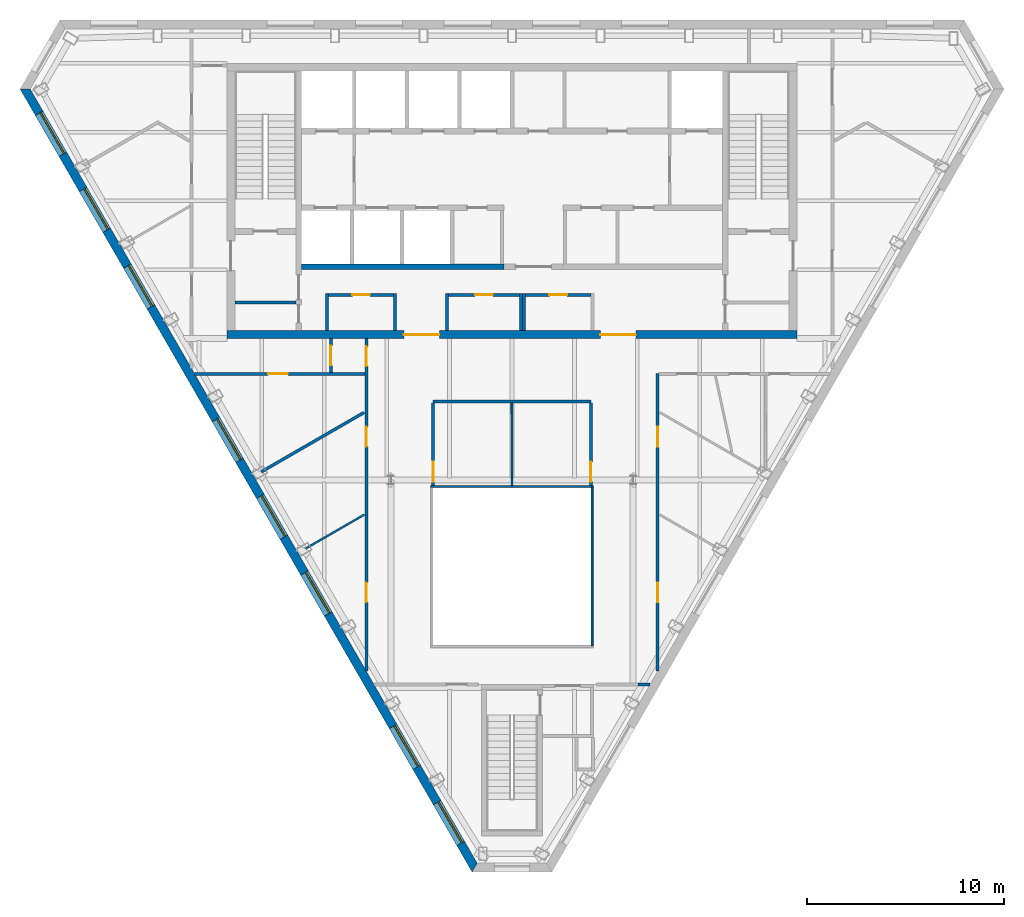
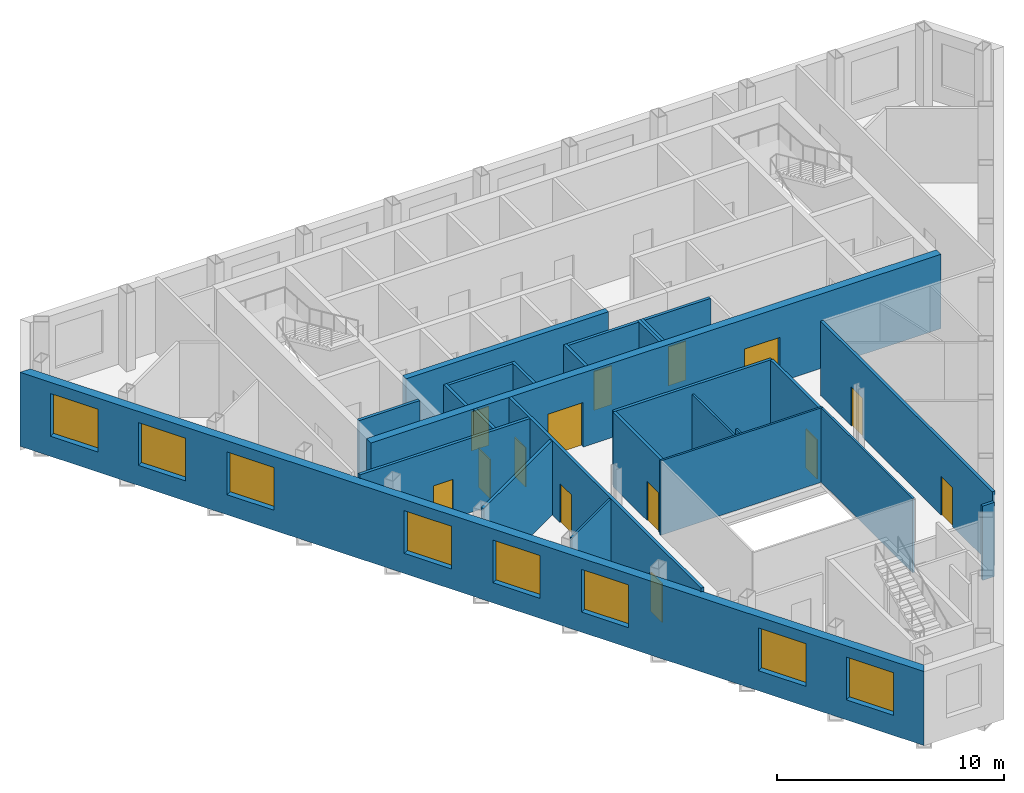
# One storey, part 4 of 10: 26 walls, 14 doors, 8 windows, 22 openings.
"""IFC4 building model written with IfcOpenShell, lengths in metres."""

from ifc_helpers import new_model, si_unit, direction, frame, frame_2d, origin, place, context, subcontext, project, spatial, polyline, rectangle, outline, extrude, material, layer, layer_set, type_object, element, fill, save


model = new_model("IFC4")

# Units and contexts
model_context = context("Model", 3, precision=1e-05, world=origin(), true_north=direction((0.0, 1.0)))
body_context = subcontext(model_context, "Body", "Model", "MODEL_VIEW")
ifc_project = project(units=[si_unit("LENGTHUNIT", "METRE"), si_unit("AREAUNIT", "SQUARE_METRE"), si_unit("VOLUMEUNIT", "CUBIC_METRE"), si_unit("PLANEANGLEUNIT", "RADIAN"), si_unit("MASSUNIT", "GRAM", prefix="KILO")], contexts=[model_context])

# Site, building, storey
site_placement = place(None, origin())
site = spatial("IfcSite", under=ifc_project, at=site_placement, CompositionType="ELEMENT")
building_placement = place(site_placement, origin())
building = spatial("IfcBuilding", under=site, at=building_placement, Name="Njiva Tower", CompositionType="ELEMENT")
storey_placement = place(building_placement, frame((0.0, 0.0, 329.4)))
storey = spatial("IfcBuildingStorey", under=building, at=storey_placement, Name="L75", CompositionType="ELEMENT", Elevation=329.4)

# Walls
ifc_material_1 = material(Name="Blockwork", Category="masonry")
ifc_layer_1 = layer(ifc_material_1, 0.15)
ifc_layer_set_1 = layer_set([ifc_layer_1], Name="Blockwork")
wall_type_1 = type_object("IfcWallType", Name="WT1 Compartment partition 150", PredefinedType="PARTITIONING", material=ifc_layer_set_1)
wall_1_placement = place(storey_placement, frame((-14.1, 5.825, 0.0), z_axis=(0.0, 0.0, 1.0), x_axis=(1.0, 0.0, 0.0)))
element("IfcWall", 1, at=wall_1_placement, inside=storey, type_object=wall_type_1, Name="Room wall A", PredefinedType="PARTITIONING", context=body_context, shape_type="SweptSolid", body=[
    extrude(rectangle(XDim=3.1, YDim=0.15, at=frame_2d((1.55, 0.0))), origin(), (0.0, 0.0, 1.0), 4.0),
])
for number, where, z_axis, x_axis, name in (
    (2, (-9.4, 4.4, 0.0), (0.0, 0.0, 1.0), (0.0, 1.0, 0.0), "Concierge office wall west"),
    (3, (-5.95, 4.4, 0.0), (0.0, 0.0, 1.0), (0.0, 1.0, 0.0), "Concierge office wall east"),
):
    element("IfcWall", number, at=place(storey_placement, frame(where, z_axis=z_axis, x_axis=x_axis)), inside=storey, type_object=wall_type_1, Name=name, PredefinedType="PARTITIONING", context=body_context, shape_type="SweptSolid", body=[
        extrude(rectangle(XDim=1.895, YDim=0.15, at=frame_2d((0.9475, 0.0))), origin(), (0.0, 0.0, 1.0), 4.0),
    ])

# Wall, opening, door
wall_2_placement = place(storey_placement, frame((-9.325, 6.22, 0.0), z_axis=(0.0, 0.0, 1.0), x_axis=(1.0, 0.0, 0.0)))
wall_2 = element("IfcWall", 4, at=wall_2_placement, inside=storey, type_object=wall_type_1, Name="Concierge office wall north", PredefinedType="PARTITIONING", context=body_context, shape_type="SweptSolid", body=[
    extrude(rectangle(XDim=3.3, YDim=0.15, at=frame_2d((1.65, 0.0))), origin(), (0.0, 0.0, 1.0), 4.0),
])
opening_1_placement = place(wall_2_placement, frame((1.2, 0.0, 0.0)))
opening_1 = element("IfcOpeningElement", 5, at=opening_1_placement, cuts=wall_2, Name="Opening S26-D924", PredefinedType="OPENING", context=body_context, shape_type="SweptSolid", body=[
    extrude(rectangle(XDim=0.9, YDim=2.1, at=frame_2d((0.45, 1.05))), frame((0.0, 0.085, 0.0), z_axis=(0.0, -1.0, 0.0), x_axis=(1.0, 0.0, 0.0)), (0.0, 0.0, 1.0), 0.17),
])
ifc_material_2 = material(Name="Steel fire door, painted", Category="steel")
door_type_1 = type_object("IfcDoorType", Name="D6 Fire-rated door 900x2100", OperationType="SINGLE_SWING_LEFT", PredefinedType="DOOR", material=ifc_material_2)
door_1_placement = place(opening_1_placement, origin())
door_1 = element("IfcDoor", 6, at=door_1_placement, inside=storey, type_object=door_type_1, Name="Concierge office door", OperationType="SINGLE_SWING_RIGHT", OverallHeight=2.1, OverallWidth=0.9, PredefinedType="DOOR", context=body_context, shape_type="SweptSolid", body=[
    extrude(rectangle(XDim=0.9, YDim=2.1, at=frame_2d((0.45, 1.05))), frame((0.0, 0.025, 0.0), z_axis=(0.0, -1.0, 0.0), x_axis=(1.0, 0.0, 0.0)), (0.0, 0.0, 1.0), 0.05),
])
fill(opening_1, door_1)

# Walls
for number, where, z_axis, x_axis, name in (
    (7, (-3.3, 4.4, 0.0), (0.0, 0.0, 1.0), (0.0, 1.0, 0.0), "Post room wall west"),
    (8, (0.45, 4.4, 0.0), (0.0, 0.0, 1.0), (0.0, 1.0, 0.0), "Post room wall east"),
):
    element("IfcWall", number, at=place(storey_placement, frame(where, z_axis=z_axis, x_axis=x_axis)), inside=storey, type_object=wall_type_1, Name=name, PredefinedType="PARTITIONING", context=body_context, shape_type="SweptSolid", body=[
        extrude(rectangle(XDim=1.895, YDim=0.15, at=frame_2d((0.9475, 0.0))), origin(), (0.0, 0.0, 1.0), 4.0),
    ])

# Wall, opening, door
wall_3_placement = place(storey_placement, frame((-3.225, 6.22, 0.0), z_axis=(0.0, 0.0, 1.0), x_axis=(1.0, 0.0, 0.0)))
wall_3 = element("IfcWall", 9, at=wall_3_placement, inside=storey, type_object=wall_type_1, Name="Post room wall north", PredefinedType="PARTITIONING", context=body_context, shape_type="SweptSolid", body=[
    extrude(rectangle(XDim=3.6, YDim=0.15, at=frame_2d((1.8, 0.0))), origin(), (0.0, 0.0, 1.0), 4.0),
])
opening_2_placement = place(wall_3_placement, frame((1.35, 0.0, 0.0)))
opening_2 = element("IfcOpeningElement", 10, at=opening_2_placement, cuts=wall_3, Name="Opening S26-D925", PredefinedType="OPENING", context=body_context, shape_type="SweptSolid", body=[
    extrude(rectangle(XDim=0.9, YDim=2.1, at=frame_2d((0.45, 1.05))), frame((0.0, 0.085, 0.0), z_axis=(0.0, -1.0, 0.0), x_axis=(1.0, 0.0, 0.0)), (0.0, 0.0, 1.0), 0.17),
])
door_2_placement = place(opening_2_placement, origin())
door_2 = element("IfcDoor", 11, at=door_2_placement, inside=storey, type_object=door_type_1, Name="Post room door", OperationType="SINGLE_SWING_LEFT", OverallHeight=2.1, OverallWidth=0.9, PredefinedType="DOOR", context=body_context, shape_type="SweptSolid", body=[
    extrude(rectangle(XDim=0.9, YDim=2.1, at=frame_2d((0.45, 1.05))), frame((0.0, 0.025, 0.0), z_axis=(0.0, -1.0, 0.0), x_axis=(1.0, 0.0, 0.0)), (0.0, 0.0, 1.0), 0.05),
])
fill(opening_2, door_2)

# Wall
wall_4_placement = place(storey_placement, frame((0.6, 4.4, 0.0), z_axis=(0.0, 0.0, 1.0), x_axis=(0.0, 1.0, 0.0)))
element("IfcWall", 12, at=wall_4_placement, inside=storey, type_object=wall_type_1, Name="Information office wall west", PredefinedType="PARTITIONING", context=body_context, shape_type="SweptSolid", body=[
    extrude(rectangle(XDim=1.895, YDim=0.15, at=frame_2d((0.9475, 0.0))), origin(), (0.0, 0.0, 1.0), 4.0),
])

# Wall, opening, door
wall_5_placement = place(storey_placement, frame((0.675, 6.22, 0.0), z_axis=(0.0, 0.0, 1.0), x_axis=(1.0, 0.0, 0.0)))
wall_5 = element("IfcWall", 13, at=wall_5_placement, inside=storey, type_object=wall_type_1, Name="Information office wall north", PredefinedType="PARTITIONING", context=body_context, shape_type="SweptSolid", body=[
    extrude(rectangle(XDim=3.35, YDim=0.15, at=frame_2d((1.675, 0.0))), origin(), (0.0, 0.0, 1.0), 4.0),
])
opening_3_placement = place(wall_5_placement, frame((1.225, 0.0, 0.0)))
opening_3 = element("IfcOpeningElement", 14, at=opening_3_placement, cuts=wall_5, Name="Opening S26-D926", PredefinedType="OPENING", context=body_context, shape_type="SweptSolid", body=[
    extrude(rectangle(XDim=0.9, YDim=2.1, at=frame_2d((0.45, 1.05))), frame((0.0, 0.085, 0.0), z_axis=(0.0, -1.0, 0.0), x_axis=(1.0, 0.0, 0.0)), (0.0, 0.0, 1.0), 0.17),
])
door_3_placement = place(opening_3_placement, origin())
door_3 = element("IfcDoor", 15, at=door_3_placement, inside=storey, type_object=door_type_1, Name="Information office door", OperationType="SINGLE_SWING_LEFT", OverallHeight=2.1, OverallWidth=0.9, PredefinedType="DOOR", context=body_context, shape_type="SweptSolid", body=[
    extrude(rectangle(XDim=0.9, YDim=2.1, at=frame_2d((0.45, 1.05))), frame((0.0, 0.025, 0.0), z_axis=(0.0, -1.0, 0.0), x_axis=(1.0, 0.0, 0.0)), (0.0, 0.0, 1.0), 0.05),
])
fill(opening_3, door_3)

# Wall, openings, doors
ifc_material_3 = material(Name="Concrete C60/75", Category="concrete")
ifc_layer_2 = layer(ifc_material_3, 0.4)
ifc_layer_set_2 = layer_set([ifc_layer_2], Name="Concrete C60/75")
wall_type_2 = type_object("IfcWallType", Name="WT11 Core wall 400", PredefinedType="SHEAR", material=ifc_layer_set_2)
wall_6_placement = place(storey_placement, frame((-14.5, 4.2, 0.0), z_axis=(0.0, 0.0, 1.0), x_axis=(1.0, 0.0, 0.0)))
wall_6 = element("IfcWall", 16, at=wall_6_placement, inside=storey, type_object=wall_type_2, Name="Core wall south", PredefinedType="SHEAR", context=body_context, shape_type="SweptSolid", body=[
    extrude(rectangle(XDim=29.0, YDim=0.4, at=frame_2d((14.5, 0.0))), origin(), (0.0, 0.0, 1.0), 4.0),
])
opening_4_placement = place(wall_6_placement, frame((9.0, 0.0, 0.0)))
opening_4 = element("IfcOpeningElement", 17, at=opening_4_placement, cuts=wall_6, Name="Opening S26-D928", PredefinedType="OPENING", context=body_context, shape_type="SweptSolid", body=[
    extrude(rectangle(XDim=1.8, YDim=2.4, at=frame_2d((0.9, 1.2))), frame((0.0, 0.21, 0.0), z_axis=(0.0, -1.0, 0.0), x_axis=(1.0, 0.0, 0.0)), (0.0, 0.0, 1.0), 0.42),
])
opening_5_placement = place(wall_6_placement, frame((19.0, 0.0, 0.0)))
opening_5 = element("IfcOpeningElement", 18, at=opening_5_placement, cuts=wall_6, Name="Opening S26-D929", PredefinedType="OPENING", context=body_context, shape_type="SweptSolid", body=[
    extrude(rectangle(XDim=1.8, YDim=2.4, at=frame_2d((0.9, 1.2))), frame((0.0, 0.21, 0.0), z_axis=(0.0, -1.0, 0.0), x_axis=(1.0, 0.0, 0.0)), (0.0, 0.0, 1.0), 0.42),
])
ifc_material_4 = material(Name="Steel and glass door", Category="steel")
door_type_2 = type_object("IfcDoorType", Name="D3 Core entrance door 1800x2400", OperationType="DOUBLE_DOOR_SINGLE_SWING", PredefinedType="DOOR", material=ifc_material_4)
door_4_placement = place(opening_4_placement, origin())
door_4 = element("IfcDoor", 19, at=door_4_placement, inside=storey, type_object=door_type_2, Name="Core entrance door", OperationType="DOUBLE_DOOR_SINGLE_SWING", OverallHeight=2.4, OverallWidth=1.8, PredefinedType="DOOR", context=body_context, shape_type="SweptSolid", body=[
    extrude(rectangle(XDim=1.8, YDim=2.4, at=frame_2d((0.9, 1.2))), frame((0.0, 0.025, 0.0), z_axis=(0.0, -1.0, 0.0), x_axis=(1.0, 0.0, 0.0)), (0.0, 0.0, 1.0), 0.05),
])
fill(opening_4, door_4)
door_5_placement = place(opening_5_placement, origin())
door_5 = element("IfcDoor", 20, at=door_5_placement, inside=storey, type_object=door_type_2, Name="Core entrance door", OperationType="DOUBLE_DOOR_SINGLE_SWING", OverallHeight=2.4, OverallWidth=1.8, PredefinedType="DOOR", context=body_context, shape_type="SweptSolid", body=[
    extrude(rectangle(XDim=1.8, YDim=2.4, at=frame_2d((0.9, 1.2))), frame((0.0, 0.025, 0.0), z_axis=(0.0, -1.0, 0.0), x_axis=(1.0, 0.0, 0.0)), (0.0, 0.0, 1.0), 0.05),
])
fill(opening_5, door_5)

# Walls
ifc_material_5 = material(Name="Gypsum board on steel studs", Category="gypsum")
ifc_layer_3 = layer(ifc_material_5, 0.1)
ifc_layer_set_3 = layer_set([ifc_layer_3], Name="Gypsum board on steel studs")
wall_type_3 = type_object("IfcWallType", Name="WT20 Gypsum partition 100", PredefinedType="PARTITIONING", material=ifc_layer_set_3)
wall_7_placement = place(storey_placement, frame((-10.495, -6.683, 0.0), z_axis=(0.0, 0.0, 1.0), x_axis=(0.866074466908, 0.499915010547, 0.0)))
element("IfcWall", 21, at=wall_7_placement, inside=storey, type_object=wall_type_3, Name="Partition S26-P008", PredefinedType="PARTITIONING", context=body_context, shape_type="SweptSolid", body=[
    extrude(rectangle(XDim=3.4466, YDim=0.1, at=frame_2d((1.7233, 0.0))), origin(), (0.0, 0.0, 1.0), 4.0),
])
wall_8_placement = place(storey_placement, frame((-0.001, 0.725, 0.0), z_axis=(0.0, 0.0, 1.0), x_axis=(0.000235294111, -0.999999972318, 0.0)))
element("IfcWall", 22, at=wall_8_placement, inside=storey, type_object=wall_type_3, Name="Partition S26-P014", PredefinedType="PARTITIONING", context=body_context, shape_type="SweptSolid", body=[
    extrude(rectangle(XDim=3.825, YDim=0.1, at=frame_2d((1.9125, 0.0))), origin(), (0.0, 0.0, 1.0), 3.55),
])
wall_9_placement = place(storey_placement, frame((-0.0001, -3.1, 0.0), z_axis=(0.0, 0.0, 1.0), x_axis=(0.000263157886, -0.999999965374, 0.0)))
element("IfcWall", 23, at=wall_9_placement, inside=storey, type_object=wall_type_3, Name="Partition S26-P014A", PredefinedType="PARTITIONING", context=body_context, shape_type="SweptSolid", body=[
    extrude(rectangle(XDim=0.38, YDim=0.1, at=frame_2d((0.19, 0.0))), origin(), (0.0, 0.0, 1.0), 4.0),
])

# Wall, opening, door
ifc_layer_4 = layer(ifc_material_5, 0.15)
ifc_layer_set_4 = layer_set([ifc_layer_4], Name="Gypsum board on steel studs")
wall_type_4 = type_object("IfcWallType", Name="WT21 Compartment wall 150", PredefinedType="PARTITIONING", material=ifc_layer_set_4)
wall_10_placement = place(storey_placement, frame((-16.143, 2.2, 0.0), z_axis=(0.0, 0.0, 1.0), x_axis=(1.0, 0.0, 0.0)))
wall_10 = element("IfcWall", 24, at=wall_10_placement, inside=storey, type_object=wall_type_4, Name="Partition S26-P006", PredefinedType="PARTITIONING", context=body_context, shape_type="SweptSolid", body=[
    extrude(rectangle(XDim=8.658, YDim=0.15, at=frame_2d((4.329, 0.0))), origin(), (0.0, 0.0, 1.0), 4.0),
])
opening_6_placement = place(wall_10_placement, frame((3.738, 0.0, 0.0)))
opening_6 = element("IfcOpeningElement", 25, at=opening_6_placement, cuts=wall_10, Name="Opening S26-D005", PredefinedType="OPENING", context=body_context, shape_type="SweptSolid", body=[
    extrude(rectangle(XDim=1.0, YDim=2.1, at=frame_2d((0.5, 1.05))), frame((0.0, 0.085, 0.0), z_axis=(0.0, -1.0, 0.0), x_axis=(1.0, 0.0, 0.0)), (0.0, 0.0, 1.0), 0.17),
])
ifc_material_6 = material(Name="Steel fire door set", Category="steel")
door_type_3 = type_object("IfcDoorType", Name="D37 Fire door 1000x2100", OperationType="SINGLE_SWING_LEFT", PredefinedType="DOOR", material=ifc_material_6)
door_6_placement = place(opening_6_placement, origin())
door_6 = element("IfcDoor", 26, at=door_6_placement, inside=storey, type_object=door_type_3, Name="Door S26-D005", OperationType="SINGLE_SWING_LEFT", OverallHeight=2.1, OverallWidth=1.0, PredefinedType="DOOR", context=body_context, shape_type="SweptSolid", body=[
    extrude(rectangle(XDim=1.0, YDim=2.1, at=frame_2d((0.5, 1.05))), frame((0.0, 0.025, 0.0), z_axis=(0.0, -1.0, 0.0), x_axis=(1.0, 0.0, 0.0)), (0.0, 0.0, 1.0), 0.05),
])
fill(opening_6, door_6)

# Wall
wall_11_placement = place(storey_placement, frame((-12.748, -2.78, 0.0), z_axis=(0.0, 0.0, 1.0), x_axis=(0.86604208752, 0.499971101808, 0.0)))
element("IfcWall", 27, at=wall_11_placement, inside=storey, type_object=wall_type_4, Name="Partition S26-P007", PredefinedType="PARTITIONING", context=body_context, shape_type="SweptSolid", body=[
    extrude(rectangle(XDim=6.0343, YDim=0.15, at=frame_2d((3.0172, 0.0))), origin(), (0.0, 0.0, 1.0), 4.0),
])

# Wall, opening, door
wall_12_placement = place(storey_placement, frame((-9.21, 2.275, 0.0), z_axis=(0.0, 0.0, 1.0), x_axis=(0.0, 1.0, 0.0)))
wall_12 = element("IfcWall", 28, at=wall_12_placement, inside=storey, type_object=wall_type_4, Name="Partition S26-P009", PredefinedType="PARTITIONING", context=body_context, shape_type="SweptSolid", body=[
    extrude(rectangle(XDim=1.725, YDim=0.15, at=frame_2d((0.8625, 0.0))), origin(), (0.0, 0.0, 1.0), 4.0),
])
opening_7_placement = place(wall_12_placement, frame((0.362, 0.0, 0.0)))
opening_7 = element("IfcOpeningElement", 29, at=opening_7_placement, cuts=wall_12, Name="Opening S26-D006", PredefinedType="OPENING", context=body_context, shape_type="SweptSolid", body=[
    extrude(rectangle(XDim=1.0, YDim=2.1, at=frame_2d((0.5, 1.05))), frame((0.0, 0.085, 0.0), z_axis=(0.0, -1.0, 0.0), x_axis=(1.0, 0.0, 0.0)), (0.0, 0.0, 1.0), 0.17),
])
door_7_placement = place(opening_7_placement, origin())
door_7 = element("IfcDoor", 30, at=door_7_placement, inside=storey, type_object=door_type_3, Name="Door S26-D006", OperationType="SINGLE_SWING_RIGHT", OverallHeight=2.1, OverallWidth=1.0, PredefinedType="DOOR", context=body_context, shape_type="SweptSolid", body=[
    extrude(rectangle(XDim=1.0, YDim=2.1, at=frame_2d((0.5, 1.05))), frame((0.0, 0.025, 0.0), z_axis=(0.0, -1.0, 0.0), x_axis=(1.0, 0.0, 0.0)), (0.0, 0.0, 1.0), 0.05),
])
fill(opening_7, door_7)

# Wall, openings, doors
wall_13_placement = place(storey_placement, frame((-7.41, -12.926, 0.0), z_axis=(0.0, 0.0, 1.0), x_axis=(0.0, 1.0, 0.0)))
wall_13 = element("IfcWall", 31, at=wall_13_placement, inside=storey, type_object=wall_type_4, Name="Partition S26-P010", PredefinedType="PARTITIONING", context=body_context, shape_type="SweptSolid", body=[
    extrude(rectangle(XDim=16.926, YDim=0.15, at=frame_2d((8.463, 0.0))), origin(), (0.0, 0.0, 1.0), 4.0),
])
opening_8_placement = place(wall_13_placement, frame((3.512, 0.0, 0.0)))
opening_8 = element("IfcOpeningElement", 32, at=opening_8_placement, cuts=wall_13, Name="Opening S26-D007", PredefinedType="OPENING", context=body_context, shape_type="SweptSolid", body=[
    extrude(rectangle(XDim=1.0, YDim=2.1, at=frame_2d((0.5, 1.05))), frame((0.0, 0.085, 0.0), z_axis=(0.0, -1.0, 0.0), x_axis=(1.0, 0.0, 0.0)), (0.0, 0.0, 1.0), 0.17),
])
opening_9_placement = place(wall_13_placement, frame((11.427, 0.0, 0.0)))
opening_9 = element("IfcOpeningElement", 33, at=opening_9_placement, cuts=wall_13, Name="Opening S26-D008", PredefinedType="OPENING", context=body_context, shape_type="SweptSolid", body=[
    extrude(rectangle(XDim=1.0, YDim=2.1, at=frame_2d((0.5, 1.05))), frame((0.0, 0.085, 0.0), z_axis=(0.0, -1.0, 0.0), x_axis=(1.0, 0.0, 0.0)), (0.0, 0.0, 1.0), 0.17),
])
opening_10_placement = place(wall_13_placement, frame((15.526, 0.0, 0.0)))
opening_10 = element("IfcOpeningElement", 34, at=opening_10_placement, cuts=wall_13, Name="Opening S26-D009", PredefinedType="OPENING", context=body_context, shape_type="SweptSolid", body=[
    extrude(rectangle(XDim=1.0, YDim=2.1, at=frame_2d((0.5, 1.05))), frame((0.0, 0.085, 0.0), z_axis=(0.0, -1.0, 0.0), x_axis=(1.0, 0.0, 0.0)), (0.0, 0.0, 1.0), 0.17),
])
door_8_placement = place(opening_8_placement, origin())
door_8 = element("IfcDoor", 35, at=door_8_placement, inside=storey, type_object=door_type_3, Name="Door S26-D007", OperationType="SINGLE_SWING_RIGHT", OverallHeight=2.1, OverallWidth=1.0, PredefinedType="DOOR", context=body_context, shape_type="SweptSolid", body=[
    extrude(rectangle(XDim=1.0, YDim=2.1, at=frame_2d((0.5, 1.05))), frame((0.0, 0.025, 0.0), z_axis=(0.0, -1.0, 0.0), x_axis=(1.0, 0.0, 0.0)), (0.0, 0.0, 1.0), 0.05),
])
fill(opening_8, door_8)
door_9_placement = place(opening_9_placement, origin())
door_9 = element("IfcDoor", 36, at=door_9_placement, inside=storey, type_object=door_type_3, Name="Door S26-D008", OperationType="SINGLE_SWING_LEFT", OverallHeight=2.1, OverallWidth=1.0, PredefinedType="DOOR", context=body_context, shape_type="SweptSolid", body=[
    extrude(rectangle(XDim=1.0, YDim=2.1, at=frame_2d((0.5, 1.05))), frame((0.0, 0.025, 0.0), z_axis=(0.0, -1.0, 0.0), x_axis=(1.0, 0.0, 0.0)), (0.0, 0.0, 1.0), 0.05),
])
fill(opening_9, door_9)
door_10_placement = place(opening_10_placement, origin())
door_10 = element("IfcDoor", 37, at=door_10_placement, inside=storey, type_object=door_type_3, Name="Door S26-D009", OperationType="SINGLE_SWING_LEFT", OverallHeight=2.1, OverallWidth=1.0, PredefinedType="DOOR", context=body_context, shape_type="SweptSolid", body=[
    extrude(rectangle(XDim=1.0, YDim=2.1, at=frame_2d((0.5, 1.05))), frame((0.0, 0.025, 0.0), z_axis=(0.0, -1.0, 0.0), x_axis=(1.0, 0.0, 0.0)), (0.0, 0.0, 1.0), 0.05),
])
fill(opening_10, door_10)

# Wall
wall_14_placement = place(storey_placement, frame((-4.022, 0.8, 0.0), z_axis=(0.0, 0.0, 1.0), x_axis=(1.0, 0.0, 0.0)))
element("IfcWall", 38, at=wall_14_placement, inside=storey, type_object=wall_type_4, Name="Partition S26-P012", PredefinedType="PARTITIONING", context=body_context, shape_type="SweptSolid", body=[
    extrude(rectangle(XDim=8.043, YDim=0.15, at=frame_2d((4.0215, 0.0))), origin(), (0.0, 0.0, 1.0), 4.0),
])

# Wall, opening, door
wall_15_placement = place(storey_placement, frame((-4.01, 0.725, 0.0), z_axis=(0.0, 0.0, 1.0), x_axis=(0.000237812122, -0.999999971723, 0.0)))
wall_15 = element("IfcWall", 39, at=wall_15_placement, inside=storey, type_object=wall_type_4, Name="Partition S26-P013", PredefinedType="PARTITIONING", context=body_context, shape_type="SweptSolid", body=[
    extrude(rectangle(XDim=4.205, YDim=0.15, at=frame_2d((2.1025, 0.0))), origin(), (0.0, 0.0, 1.0), 4.0),
])
opening_11_placement = place(wall_15_placement, frame((3.005, 0.0, 0.0)))
opening_11 = element("IfcOpeningElement", 40, at=opening_11_placement, cuts=wall_15, Name="Opening S26-D011", PredefinedType="OPENING", context=body_context, shape_type="SweptSolid", body=[
    extrude(rectangle(XDim=1.0, YDim=2.1, at=frame_2d((0.5, 1.05))), frame((0.0, 0.085, 0.0), z_axis=(0.0, -1.0, 0.0), x_axis=(1.0, 0.0, 0.0)), (0.0, 0.0, 1.0), 0.17),
])
door_11_placement = place(opening_11_placement, origin())
door_11 = element("IfcDoor", 41, at=door_11_placement, inside=storey, type_object=door_type_3, Name="Door S26-D011", OperationType="SINGLE_SWING_LEFT", OverallHeight=2.1, OverallWidth=1.0, PredefinedType="DOOR", context=body_context, shape_type="SweptSolid", body=[
    extrude(rectangle(XDim=1.0, YDim=2.1, at=frame_2d((0.5, 1.05))), frame((0.0, 0.025, 0.0), z_axis=(0.0, -1.0, 0.0), x_axis=(1.0, 0.0, 0.0)), (0.0, 0.0, 1.0), 0.05),
])
fill(opening_11, door_11)

wall_16_placement = place(storey_placement, frame((4.009, 0.725, 0.0), z_axis=(0.0, 0.0, 1.0), x_axis=(0.000237812122, -0.999999971723, 0.0)))
wall_16 = element("IfcWall", 42, at=wall_16_placement, inside=storey, type_object=wall_type_4, Name="Partition S26-P015", PredefinedType="PARTITIONING", context=body_context, shape_type="SweptSolid", body=[
    extrude(rectangle(XDim=4.205, YDim=0.15, at=frame_2d((2.1025, 0.0))), origin(), (0.0, 0.0, 1.0), 4.0),
])
opening_12_placement = place(wall_16_placement, frame((3.005, 0.0, 0.0)))
opening_12 = element("IfcOpeningElement", 43, at=opening_12_placement, cuts=wall_16, Name="Opening S26-D012", PredefinedType="OPENING", context=body_context, shape_type="SweptSolid", body=[
    extrude(rectangle(XDim=1.0, YDim=2.1, at=frame_2d((0.5, 1.05))), frame((0.0, 0.085, 0.0), z_axis=(0.0, -1.0, 0.0), x_axis=(1.0, 0.0, 0.0)), (0.0, 0.0, 1.0), 0.17),
])
door_12_placement = place(opening_12_placement, origin())
door_12 = element("IfcDoor", 44, at=door_12_placement, inside=storey, type_object=door_type_3, Name="Door S26-D012", OperationType="SINGLE_SWING_RIGHT", OverallHeight=2.1, OverallWidth=1.0, PredefinedType="DOOR", context=body_context, shape_type="SweptSolid", body=[
    extrude(rectangle(XDim=1.0, YDim=2.1, at=frame_2d((0.5, 1.05))), frame((0.0, 0.025, 0.0), z_axis=(0.0, -1.0, 0.0), x_axis=(1.0, 0.0, 0.0)), (0.0, 0.0, 1.0), 0.05),
])
fill(opening_12, door_12)

# Wall
wall_17_placement = place(storey_placement, frame((6.415, -13.6, 0.0), z_axis=(0.0, 0.0, 1.0), x_axis=(1.0, 0.0, 0.0)))
element("IfcWall", 45, at=wall_17_placement, inside=storey, type_object=wall_type_4, Name="Partition S26-P016A", PredefinedType="PARTITIONING", context=body_context, shape_type="SweptSolid", body=[
    extrude(rectangle(XDim=0.606, YDim=0.15, at=frame_2d((0.303, 0.0))), origin(), (0.0, 0.0, 1.0), 4.0),
])

# Wall, openings, doors
wall_18_placement = place(storey_placement, frame((7.41, -12.926, 0.0), z_axis=(0.0, 0.0, 1.0), x_axis=(0.0, 1.0, 0.0)))
wall_18 = element("IfcWall", 46, at=wall_18_placement, inside=storey, type_object=wall_type_4, Name="Partition S26-P017", PredefinedType="PARTITIONING", context=body_context, shape_type="SweptSolid", body=[
    extrude(rectangle(XDim=15.138, YDim=0.15, at=frame_2d((7.569, 0.0))), origin(), (0.0, 0.0, 1.0), 4.0),
])
opening_13_placement = place(wall_18_placement, frame((3.512, 0.0, 0.0)))
opening_13 = element("IfcOpeningElement", 47, at=opening_13_placement, cuts=wall_18, Name="Opening S26-D013", PredefinedType="OPENING", context=body_context, shape_type="SweptSolid", body=[
    extrude(rectangle(XDim=1.0, YDim=2.1, at=frame_2d((0.5, 1.05))), frame((0.0, 0.085, 0.0), z_axis=(0.0, -1.0, 0.0), x_axis=(1.0, 0.0, 0.0)), (0.0, 0.0, 1.0), 0.17),
])
opening_14_placement = place(wall_18_placement, frame((11.427, 0.0, 0.0)))
opening_14 = element("IfcOpeningElement", 48, at=opening_14_placement, cuts=wall_18, Name="Opening S26-D014", PredefinedType="OPENING", context=body_context, shape_type="SweptSolid", body=[
    extrude(rectangle(XDim=1.0, YDim=2.1, at=frame_2d((0.5, 1.05))), frame((0.0, 0.085, 0.0), z_axis=(0.0, -1.0, 0.0), x_axis=(1.0, 0.0, 0.0)), (0.0, 0.0, 1.0), 0.17),
])
door_13_placement = place(opening_13_placement, origin())
door_13 = element("IfcDoor", 49, at=door_13_placement, inside=storey, type_object=door_type_3, Name="Door S26-D013", OperationType="SINGLE_SWING_LEFT", OverallHeight=2.1, OverallWidth=1.0, PredefinedType="DOOR", context=body_context, shape_type="SweptSolid", body=[
    extrude(rectangle(XDim=1.0, YDim=2.1, at=frame_2d((0.5, 1.05))), frame((0.0, 0.025, 0.0), z_axis=(0.0, -1.0, 0.0), x_axis=(1.0, 0.0, 0.0)), (0.0, 0.0, 1.0), 0.05),
])
fill(opening_13, door_13)
door_14_placement = place(opening_14_placement, origin())
door_14 = element("IfcDoor", 50, at=door_14_placement, inside=storey, type_object=door_type_3, Name="Door S26-D014", OperationType="SINGLE_SWING_RIGHT", OverallHeight=2.1, OverallWidth=1.0, PredefinedType="DOOR", context=body_context, shape_type="SweptSolid", body=[
    extrude(rectangle(XDim=1.0, YDim=2.1, at=frame_2d((0.5, 1.05))), frame((0.0, 0.025, 0.0), z_axis=(0.0, -1.0, 0.0), x_axis=(1.0, 0.0, 0.0)), (0.0, 0.0, 1.0), 0.05),
])
fill(opening_14, door_14)

# Wall
ifc_material_7 = material(Name="Concrete C40/50", Category="concrete")
ifc_layer_5 = layer(ifc_material_7, 0.3)
ifc_layer_set_5 = layer_set([ifc_layer_5], Name="Concrete C40/50")
wall_type_5 = type_object("IfcWallType", Name="WT7 Lift shaft wall 300", PredefinedType="SHEAR", material=ifc_layer_set_5)
wall_19_placement = place(storey_placement, frame((-10.7, 7.65, 0.0), z_axis=(0.0, 0.0, 1.0), x_axis=(1.0, 0.0, 0.0)))
element("IfcWall", 51, at=wall_19_placement, inside=storey, type_object=wall_type_5, Name="Shaft wall south row back W", PredefinedType="SHEAR", context=body_context, shape_type="SweptSolid", body=[
    extrude(rectangle(XDim=10.3, YDim=0.3, at=frame_2d((5.15, 0.0))), origin(), (0.0, 0.0, 1.0), 4.0),
])

# Wall, openings, windows
ifc_material_8 = material(Name="Brick masonry", Category="masonry")
ifc_layer_6 = layer(ifc_material_8, 0.45)
ifc_layer_set_6 = layer_set([ifc_layer_6], Name="Brick masonry")
wall_type_6 = type_object("IfcWallType", Name="WT90 Brick pier and spandrel wall 450", PredefinedType="SOLIDWALL", material=ifc_layer_set_6)
wall_20_placement = place(storey_placement, frame((-24.7652, 16.6839, -0.18), z_axis=(0.0, 0.0, 1.0), x_axis=(0.500000141277, -0.866025322218, 0.0)))
wall_20 = element("IfcWall", 52, at=wall_20_placement, inside=storey, type_object=wall_type_6, Name="Facade wall SW", PredefinedType="SOLIDWALL", context=body_context, shape_type="SweptSolid", body=[
    extrude(outline(polyline([(-0.1299, -0.225), (45.8601, -0.225), (45.6003, 0.225), (0.1299, 0.225), (-0.1299, -0.225)])), origin(), (0.0, 0.0, 1.0), 3.98),
])
opening_15_placement = place(wall_20_placement, frame((1.4237, 0.0, 1.08)))
opening_15 = element("IfcOpeningElement", 53, at=opening_15_placement, cuts=wall_20, Name="Opening S26-W09", PredefinedType="OPENING", context=body_context, shape_type="SweptSolid", body=[
    extrude(rectangle(XDim=2.4, YDim=2.3, at=frame_2d((1.2, 1.15))), frame((0.0, 0.235, 0.0), z_axis=(0.0, -1.0, 0.0), x_axis=(1.0, 0.0, 0.0)), (0.0, 0.0, 1.0), 0.47),
])
opening_16_placement = place(wall_20_placement, frame((5.8919, 0.0, 1.08)))
opening_16 = element("IfcOpeningElement", 54, at=opening_16_placement, cuts=wall_20, Name="Opening S26-W10", PredefinedType="OPENING", context=body_context, shape_type="SweptSolid", body=[
    extrude(rectangle(XDim=2.4, YDim=2.3, at=frame_2d((1.2, 1.15))), frame((0.0, 0.235, 0.0), z_axis=(0.0, -1.0, 0.0), x_axis=(1.0, 0.0, 0.0)), (0.0, 0.0, 1.0), 0.47),
])
opening_17_placement = place(wall_20_placement, frame((10.3985, 0.0, 1.08)))
opening_17 = element("IfcOpeningElement", 55, at=opening_17_placement, cuts=wall_20, Name="Opening S26-W11", PredefinedType="OPENING", context=body_context, shape_type="SweptSolid", body=[
    extrude(rectangle(XDim=2.4, YDim=2.3, at=frame_2d((1.2, 1.15))), frame((0.0, 0.235, 0.0), z_axis=(0.0, -1.0, 0.0), x_axis=(1.0, 0.0, 0.0)), (0.0, 0.0, 1.0), 0.47),
])
opening_18_placement = place(wall_20_placement, frame((19.4118, 0.0, 1.08)))
opening_18 = element("IfcOpeningElement", 56, at=opening_18_placement, cuts=wall_20, Name="Opening S26-W12", PredefinedType="OPENING", context=body_context, shape_type="SweptSolid", body=[
    extrude(rectangle(XDim=2.4, YDim=2.3, at=frame_2d((1.2, 1.15))), frame((0.0, 0.235, 0.0), z_axis=(0.0, -1.0, 0.0), x_axis=(1.0, 0.0, 0.0)), (0.0, 0.0, 1.0), 0.47),
])
opening_19_placement = place(wall_20_placement, frame((23.9184, 0.0, 1.08)))
opening_19 = element("IfcOpeningElement", 57, at=opening_19_placement, cuts=wall_20, Name="Opening S26-W13", PredefinedType="OPENING", context=body_context, shape_type="SweptSolid", body=[
    extrude(rectangle(XDim=2.4, YDim=2.3, at=frame_2d((1.2, 1.15))), frame((0.0, 0.235, 0.0), z_axis=(0.0, -1.0, 0.0), x_axis=(1.0, 0.0, 0.0)), (0.0, 0.0, 1.0), 0.47),
])
opening_20_placement = place(wall_20_placement, frame((28.425, 0.0, 1.08)))
opening_20 = element("IfcOpeningElement", 58, at=opening_20_placement, cuts=wall_20, Name="Opening S26-W14", PredefinedType="OPENING", context=body_context, shape_type="SweptSolid", body=[
    extrude(rectangle(XDim=2.4, YDim=2.3, at=frame_2d((1.2, 1.15))), frame((0.0, 0.235, 0.0), z_axis=(0.0, -1.0, 0.0), x_axis=(1.0, 0.0, 0.0)), (0.0, 0.0, 1.0), 0.47),
])
opening_21_placement = place(wall_20_placement, frame((37.4383, 0.0, 1.08)))
opening_21 = element("IfcOpeningElement", 59, at=opening_21_placement, cuts=wall_20, Name="Opening S26-W15", PredefinedType="OPENING", context=body_context, shape_type="SweptSolid", body=[
    extrude(rectangle(XDim=2.4, YDim=2.3, at=frame_2d((1.2, 1.15))), frame((0.0, 0.235, 0.0), z_axis=(0.0, -1.0, 0.0), x_axis=(1.0, 0.0, 0.0)), (0.0, 0.0, 1.0), 0.47),
])
opening_22_placement = place(wall_20_placement, frame((41.9065, 0.0, 1.08)))
opening_22 = element("IfcOpeningElement", 60, at=opening_22_placement, cuts=wall_20, Name="Opening S26-W16", PredefinedType="OPENING", context=body_context, shape_type="SweptSolid", body=[
    extrude(rectangle(XDim=2.4, YDim=2.3, at=frame_2d((1.2, 1.15))), frame((0.0, 0.235, 0.0), z_axis=(0.0, -1.0, 0.0), x_axis=(1.0, 0.0, 0.0)), (0.0, 0.0, 1.0), 0.47),
])
ifc_material_9 = material(Name="Clear glazing in aluminium frame", Category="aluminium")
window_type = type_object("IfcWindowType", Name="W91 Deep-set window 2400x2300", PartitioningType="SINGLE_PANEL", PredefinedType="WINDOW", material=ifc_material_9)
window_1_placement = place(opening_15_placement, origin())
window_1 = element("IfcWindow", 61, at=window_1_placement, inside=storey, type_object=window_type, Name="Window", OverallHeight=2.3, OverallWidth=2.4, PartitioningType="SINGLE_PANEL", PredefinedType="WINDOW", context=body_context, shape_type="SweptSolid", body=[
    extrude(rectangle(XDim=2.4, YDim=2.3, at=frame_2d((1.2, 1.15))), frame((0.0, 0.105, 0.0), z_axis=(0.0, -1.0, 0.0), x_axis=(1.0, 0.0, 0.0)), (0.0, 0.0, 1.0), 0.06),
])
fill(opening_15, window_1)
window_2_placement = place(opening_16_placement, origin())
window_2 = element("IfcWindow", 62, at=window_2_placement, inside=storey, type_object=window_type, Name="Window", OverallHeight=2.3, OverallWidth=2.4, PartitioningType="SINGLE_PANEL", PredefinedType="WINDOW", context=body_context, shape_type="SweptSolid", body=[
    extrude(rectangle(XDim=2.4, YDim=2.3, at=frame_2d((1.2, 1.15))), frame((0.0, 0.105, 0.0), z_axis=(0.0, -1.0, 0.0), x_axis=(1.0, 0.0, 0.0)), (0.0, 0.0, 1.0), 0.06),
])
fill(opening_16, window_2)
window_3_placement = place(opening_17_placement, origin())
window_3 = element("IfcWindow", 63, at=window_3_placement, inside=storey, type_object=window_type, Name="Window", OverallHeight=2.3, OverallWidth=2.4, PartitioningType="SINGLE_PANEL", PredefinedType="WINDOW", context=body_context, shape_type="SweptSolid", body=[
    extrude(rectangle(XDim=2.4, YDim=2.3, at=frame_2d((1.2, 1.15))), frame((0.0, 0.105, 0.0), z_axis=(0.0, -1.0, 0.0), x_axis=(1.0, 0.0, 0.0)), (0.0, 0.0, 1.0), 0.06),
])
fill(opening_17, window_3)
window_4_placement = place(opening_18_placement, origin())
window_4 = element("IfcWindow", 64, at=window_4_placement, inside=storey, type_object=window_type, Name="Window", OverallHeight=2.3, OverallWidth=2.4, PartitioningType="SINGLE_PANEL", PredefinedType="WINDOW", context=body_context, shape_type="SweptSolid", body=[
    extrude(rectangle(XDim=2.4, YDim=2.3, at=frame_2d((1.2, 1.15))), frame((0.0, 0.105, 0.0), z_axis=(0.0, -1.0, 0.0), x_axis=(1.0, 0.0, 0.0)), (0.0, 0.0, 1.0), 0.06),
])
fill(opening_18, window_4)
window_5_placement = place(opening_19_placement, origin())
window_5 = element("IfcWindow", 65, at=window_5_placement, inside=storey, type_object=window_type, Name="Window", OverallHeight=2.3, OverallWidth=2.4, PartitioningType="SINGLE_PANEL", PredefinedType="WINDOW", context=body_context, shape_type="SweptSolid", body=[
    extrude(rectangle(XDim=2.4, YDim=2.3, at=frame_2d((1.2, 1.15))), frame((0.0, 0.105, 0.0), z_axis=(0.0, -1.0, 0.0), x_axis=(1.0, 0.0, 0.0)), (0.0, 0.0, 1.0), 0.06),
])
fill(opening_19, window_5)
window_6_placement = place(opening_20_placement, origin())
window_6 = element("IfcWindow", 66, at=window_6_placement, inside=storey, type_object=window_type, Name="Window", OverallHeight=2.3, OverallWidth=2.4, PartitioningType="SINGLE_PANEL", PredefinedType="WINDOW", context=body_context, shape_type="SweptSolid", body=[
    extrude(rectangle(XDim=2.4, YDim=2.3, at=frame_2d((1.2, 1.15))), frame((0.0, 0.105, 0.0), z_axis=(0.0, -1.0, 0.0), x_axis=(1.0, 0.0, 0.0)), (0.0, 0.0, 1.0), 0.06),
])
fill(opening_20, window_6)
window_7_placement = place(opening_21_placement, origin())
window_7 = element("IfcWindow", 67, at=window_7_placement, inside=storey, type_object=window_type, Name="Window", OverallHeight=2.3, OverallWidth=2.4, PartitioningType="SINGLE_PANEL", PredefinedType="WINDOW", context=body_context, shape_type="SweptSolid", body=[
    extrude(rectangle(XDim=2.4, YDim=2.3, at=frame_2d((1.2, 1.15))), frame((0.0, 0.105, 0.0), z_axis=(0.0, -1.0, 0.0), x_axis=(1.0, 0.0, 0.0)), (0.0, 0.0, 1.0), 0.06),
])
fill(opening_21, window_7)
window_8_placement = place(opening_22_placement, origin())
window_8 = element("IfcWindow", 68, at=window_8_placement, inside=storey, type_object=window_type, Name="Window", OverallHeight=2.3, OverallWidth=2.4, PartitioningType="SINGLE_PANEL", PredefinedType="WINDOW", context=body_context, shape_type="SweptSolid", body=[
    extrude(rectangle(XDim=2.4, YDim=2.3, at=frame_2d((1.2, 1.15))), frame((0.0, 0.105, 0.0), z_axis=(0.0, -1.0, 0.0), x_axis=(1.0, 0.0, 0.0)), (0.0, 0.0, 1.0), 0.06),
])
fill(opening_22, window_8)

# Walls
ifc_material_10 = material(Name="Fire-resisting glazing EI 90", Category="glass")
ifc_layer_7 = layer(ifc_material_10, 0.1)
ifc_layer_set_7 = layer_set([ifc_layer_7], Name="Fire-resisting glazing EI 90")
wall_type_7 = type_object("IfcWallType", Name="WT95 Fire-resisting glazed screen EI 90", PredefinedType="PARTITIONING", material=ifc_layer_set_7)
wall_21_placement = place(storey_placement, frame((4.08, -11.62, 0.0), z_axis=(0.0, 0.0, 1.0), x_axis=(0.0, 1.0, 0.0)))
element("IfcWall", 69, at=wall_21_placement, inside=storey, type_object=wall_type_7, Name="Atrium fire screen east", PredefinedType="PARTITIONING", context=body_context, shape_type="SweptSolid", body=[
    extrude(rectangle(XDim=8.04, YDim=0.1, at=frame_2d((4.02, 0.0))), origin(), (0.0, 0.0, 1.0), 4.0),
])
wall_22_placement = place(storey_placement, frame((4.13, -3.53, 0.0), z_axis=(0.0, 0.0, 1.0), x_axis=(-1.0, 0.0, 0.0)))
element("IfcWall", 70, at=wall_22_placement, inside=storey, type_object=wall_type_7, Name="Atrium fire screen north", PredefinedType="PARTITIONING", context=body_context, shape_type="SweptSolid", body=[
    extrude(rectangle(XDim=8.26, YDim=0.1, at=frame_2d((4.13, 0.0))), origin(), (0.0, 0.0, 1.0), 4.0),
])

save(model, "model.ifc")
